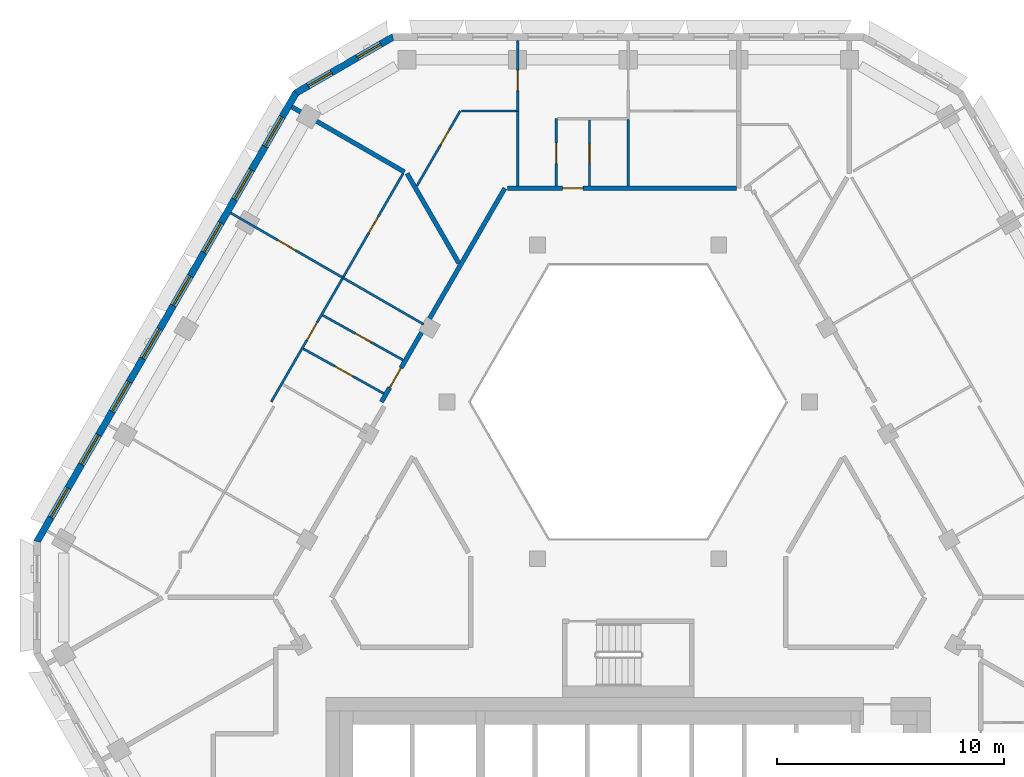
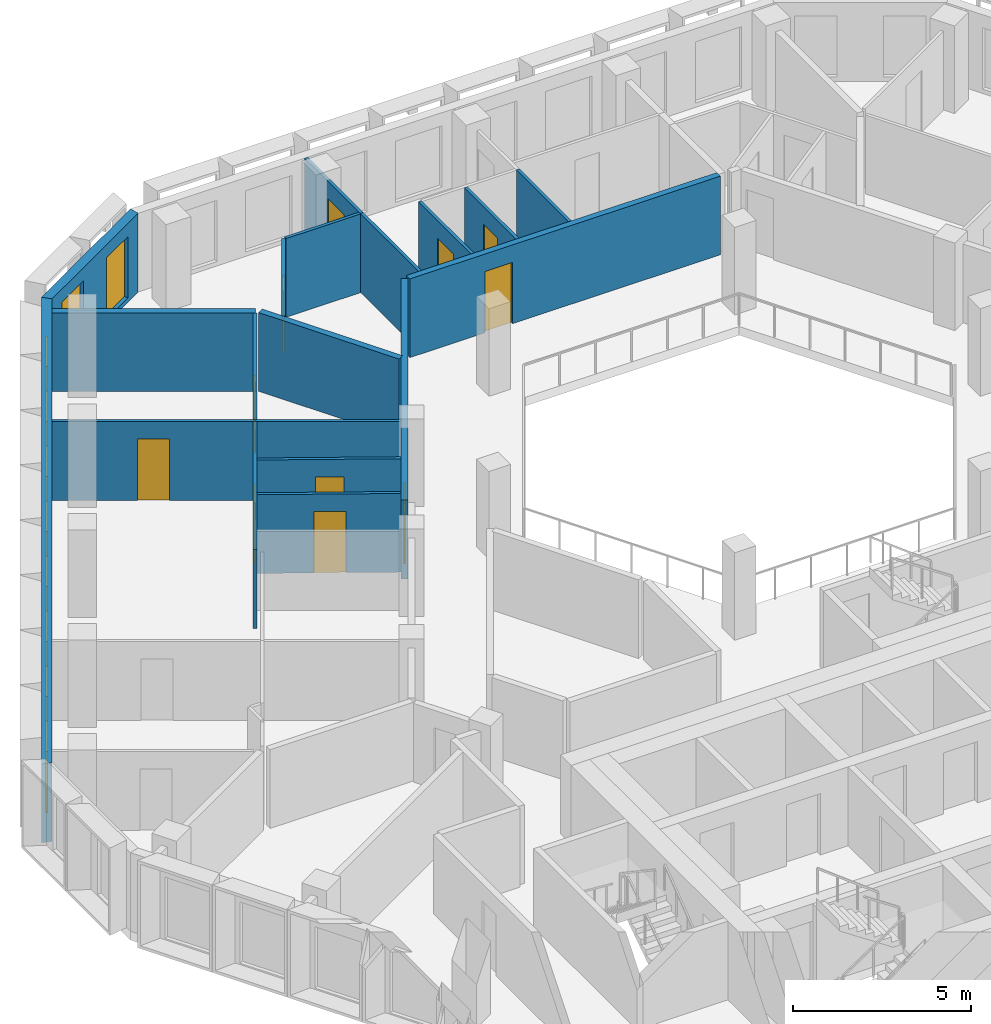
# One storey, part 7 of 17: 18 walls, 11 doors, 10 windows, 21 openings.
"""IFC4 building model written with IfcOpenShell, lengths in metres."""

from ifc_helpers import new_model, si_unit, direction, frame, frame_2d, origin, place, context, subcontext, project, spatial, polyline, rectangle, outline, extrude, material, layer, layer_set, type_object, element, fill, save


model = new_model("IFC4")

# Units and contexts
model_context = context("Model", 3, precision=1e-05, world=origin(), true_north=direction((0.0, 1.0)))
body_context = subcontext(model_context, "Body", "Model", "MODEL_VIEW")
ifc_project = project(units=[si_unit("LENGTHUNIT", "METRE"), si_unit("AREAUNIT", "SQUARE_METRE"), si_unit("VOLUMEUNIT", "CUBIC_METRE"), si_unit("PLANEANGLEUNIT", "RADIAN"), si_unit("MASSUNIT", "GRAM", prefix="KILO")], contexts=[model_context])

# Site, building, storey
site_placement = place(None, origin())
site = spatial("IfcSite", under=ifc_project, at=site_placement, CompositionType="ELEMENT")
building_placement = place(site_placement, origin())
building = spatial("IfcBuilding", under=site, at=building_placement, Name="Beryl Residences", CompositionType="ELEMENT")
storey_placement = place(building_placement, frame((0.0, 0.0, 172.199951171875)))
storey = spatial("IfcBuildingStorey", under=building, at=storey_placement, Name="L52", CompositionType="ELEMENT", Elevation=172.199951171875)

# Wall, openings, windows
ifc_material_1 = material(Name="Composite metal panel with mineral wool insulation")
ifc_layer_1 = layer(ifc_material_1, 0.300048828125)
ifc_layer_set_1 = layer_set([ifc_layer_1], Name="ES1 pale metal composite panel wall 300 mm")
wall_type_1 = type_object("IfcWallType", Name="ES1 pale metal composite panel wall 300 mm", PredefinedType="SOLIDWALL", material=ifc_layer_set_1)
wall_1_placement = place(storey_placement, frame((-10.31689453125, 24.070068359375, 0.0), z_axis=(0.0, 0.0, 1.0), x_axis=(-0.866022959057, -0.500004234368, 0.0)))
wall_1 = element("IfcWall", 1, at=wall_1_placement, inside=storey, type_object=wall_type_1, Name="ES1 external wall L52 N-NW", PredefinedType="SOLIDWALL", context=body_context, shape_type="SweptSolid", body=[
    extrude(outline(polyline([(0.0, -0.14990234375), (5.0, -0.14990234375), (4.919677734375, 0.14990234375), (0.080322265625, 0.14990234375), (0.0, -0.14990234375)])), origin(), (0.0, 0.0, 1.0), 2.699951171875),
])
opening_1_placement = place(wall_1_placement, frame((0.64990234375, 0.0, 0.14990234375)))
opening_1 = element("IfcOpeningElement", 2, at=opening_1_placement, cuts=wall_1, Name="Opening W2", PredefinedType="OPENING", context=body_context, shape_type="SweptSolid", body=[
    extrude(rectangle(XDim=1.199951171875, YDim=2.10009765625, at=frame_2d((0.60009765625, 1.050048828125))), frame((0.0, 0.159912109375, 0.0), z_axis=(0.0, -1.0, 0.0), x_axis=(1.0, 0.0, 0.0)), (0.0, 0.0, 1.0), 0.320068359375),
])
opening_2_placement = place(wall_1_placement, frame((3.14892578125, 0.0, 0.14990234375)))
opening_2 = element("IfcOpeningElement", 3, at=opening_2_placement, cuts=wall_1, Name="Opening W2", PredefinedType="OPENING", context=body_context, shape_type="SweptSolid", body=[
    extrude(rectangle(XDim=1.199951171875, YDim=2.10009765625, at=frame_2d((0.60009765625, 1.050048828125))), frame((0.0, 0.159912109375, 0.0), z_axis=(0.0, -1.0, 0.0), x_axis=(1.0, 0.0, 0.0)), (0.0, 0.0, 1.0), 0.320068359375),
])
ifc_material_2 = material(Name="Aluminium and clear glass", Category="aluminium")
window_type_1 = type_object("IfcWindowType", Name="W2 chamfer window 1200 x 2100 mm", PartitioningType="SINGLE_PANEL", PredefinedType="WINDOW", material=ifc_material_2)
window_1_placement = place(opening_1_placement, origin())
window_1 = element("IfcWindow", 4, at=window_1_placement, inside=storey, type_object=window_type_1, Name="W2 window L52 N-NW 1", OverallHeight=2.10009765625, OverallWidth=1.199951171875, PartitioningType="SINGLE_PANEL", PredefinedType="WINDOW", context=body_context, shape_type="SweptSolid", body=[
    extrude(rectangle(XDim=1.199951171875, YDim=2.10009765625, at=frame_2d((0.60009765625, 1.050048828125))), frame((0.0, 0.030029296875, 0.0), z_axis=(0.0, -1.0, 0.0), x_axis=(1.0, 0.0, 0.0)), (0.0, 0.0, 1.0), 0.06005859375),
])
fill(opening_1, window_1)
window_2_placement = place(opening_2_placement, origin())
window_2 = element("IfcWindow", 5, at=window_2_placement, inside=storey, type_object=window_type_1, Name="W2 window L52 N-NW 2", OverallHeight=2.10009765625, OverallWidth=1.199951171875, PartitioningType="SINGLE_PANEL", PredefinedType="WINDOW", context=body_context, shape_type="SweptSolid", body=[
    extrude(rectangle(XDim=1.199951171875, YDim=2.10009765625, at=frame_2d((0.60009765625, 1.050048828125))), frame((0.0, 0.030029296875, 0.0), z_axis=(0.0, -1.0, 0.0), x_axis=(1.0, 0.0, 0.0)), (0.0, 0.0, 1.0), 0.06005859375),
])
fill(opening_2, window_2)

wall_2_placement = place(storey_placement, frame((-14.592041015625, 21.625, 0.0), z_axis=(0.0, 0.0, 1.0), x_axis=(-0.500010537973, -0.866019319597, 0.0)))
wall_2 = element("IfcWall", 6, at=wall_2_placement, inside=storey, type_object=wall_type_1, Name="ES1 external wall L52 NW", PredefinedType="SOLIDWALL", context=body_context, shape_type="SweptSolid", body=[
    extrude(outline(polyline([(0.0, -0.14990234375), (22.86328125, -0.14990234375), (22.782958984375, 0.14990234375), (0.080322265625, 0.14990234375), (0.0, -0.14990234375)])), origin(), (0.0, 0.0, 1.0), 2.699951171875),
])
opening_3_placement = place(wall_2_placement, frame((1.259033203125, 0.0, 0.14990234375)))
opening_3 = element("IfcOpeningElement", 7, at=opening_3_placement, cuts=wall_2, Name="Opening W1", PredefinedType="OPENING", context=body_context, shape_type="SweptSolid", body=[
    extrude(rectangle(XDim=1.5, YDim=2.10009765625, at=frame_2d((0.75, 1.050048828125))), frame((0.0, 0.159912109375, 0.0), z_axis=(0.0, -1.0, 0.0), x_axis=(1.0, 0.0, 0.0)), (0.0, 0.0, 1.0), 0.320068359375),
])
opening_4_placement = place(wall_2_placement, frame((3.951904296875, 0.0, 0.14990234375)))
opening_4 = element("IfcOpeningElement", 8, at=opening_4_placement, cuts=wall_2, Name="Opening W1", PredefinedType="OPENING", context=body_context, shape_type="SweptSolid", body=[
    extrude(rectangle(XDim=1.5, YDim=2.10009765625, at=frame_2d((0.75, 1.050048828125))), frame((0.0, 0.159912109375, 0.0), z_axis=(0.0, -1.0, 0.0), x_axis=(1.0, 0.0, 0.0)), (0.0, 0.0, 1.0), 0.320068359375),
])
opening_5_placement = place(wall_2_placement, frame((6.64404296875, 0.0, 0.14990234375)))
opening_5 = element("IfcOpeningElement", 9, at=opening_5_placement, cuts=wall_2, Name="Opening W1", PredefinedType="OPENING", context=body_context, shape_type="SweptSolid", body=[
    extrude(rectangle(XDim=1.5, YDim=2.10009765625, at=frame_2d((0.75, 1.050048828125))), frame((0.0, 0.159912109375, 0.0), z_axis=(0.0, -1.0, 0.0), x_axis=(1.0, 0.0, 0.0)), (0.0, 0.0, 1.0), 0.320068359375),
])
opening_6_placement = place(wall_2_placement, frame((9.3349609375, 0.0, 0.14990234375)))
opening_6 = element("IfcOpeningElement", 10, at=opening_6_placement, cuts=wall_2, Name="Opening W1", PredefinedType="OPENING", context=body_context, shape_type="SweptSolid", body=[
    extrude(rectangle(XDim=1.5, YDim=2.10009765625, at=frame_2d((0.75, 1.050048828125))), frame((0.0, 0.159912109375, 0.0), z_axis=(0.0, -1.0, 0.0), x_axis=(1.0, 0.0, 0.0)), (0.0, 0.0, 1.0), 0.320068359375),
])
opening_7_placement = place(wall_2_placement, frame((12.028076171875, 0.0, 0.14990234375)))
opening_7 = element("IfcOpeningElement", 11, at=opening_7_placement, cuts=wall_2, Name="Opening W1", PredefinedType="OPENING", context=body_context, shape_type="SweptSolid", body=[
    extrude(rectangle(XDim=1.5, YDim=2.10009765625, at=frame_2d((0.75, 1.050048828125))), frame((0.0, 0.159912109375, 0.0), z_axis=(0.0, -1.0, 0.0), x_axis=(1.0, 0.0, 0.0)), (0.0, 0.0, 1.0), 0.320068359375),
])
opening_8_placement = place(wall_2_placement, frame((14.719970703125, 0.0, 0.14990234375)))
opening_8 = element("IfcOpeningElement", 12, at=opening_8_placement, cuts=wall_2, Name="Opening W1", PredefinedType="OPENING", context=body_context, shape_type="SweptSolid", body=[
    extrude(rectangle(XDim=1.5, YDim=2.10009765625, at=frame_2d((0.75, 1.050048828125))), frame((0.0, 0.159912109375, 0.0), z_axis=(0.0, -1.0, 0.0), x_axis=(1.0, 0.0, 0.0)), (0.0, 0.0, 1.0), 0.320068359375),
])
opening_9_placement = place(wall_2_placement, frame((17.410888671875, 0.0, 0.14990234375)))
opening_9 = element("IfcOpeningElement", 13, at=opening_9_placement, cuts=wall_2, Name="Opening W1", PredefinedType="OPENING", context=body_context, shape_type="SweptSolid", body=[
    extrude(rectangle(XDim=1.5, YDim=2.10009765625, at=frame_2d((0.75, 1.050048828125))), frame((0.0, 0.159912109375, 0.0), z_axis=(0.0, -1.0, 0.0), x_axis=(1.0, 0.0, 0.0)), (0.0, 0.0, 1.0), 0.320068359375),
])
opening_10_placement = place(wall_2_placement, frame((20.10400390625, 0.0, 0.14990234375)))
opening_10 = element("IfcOpeningElement", 14, at=opening_10_placement, cuts=wall_2, Name="Opening W1", PredefinedType="OPENING", context=body_context, shape_type="SweptSolid", body=[
    extrude(rectangle(XDim=1.5, YDim=2.10009765625, at=frame_2d((0.75, 1.050048828125))), frame((0.0, 0.159912109375, 0.0), z_axis=(0.0, -1.0, 0.0), x_axis=(1.0, 0.0, 0.0)), (0.0, 0.0, 1.0), 0.320068359375),
])
ifc_material_3 = material(Name="Aluminium and clear glass", Category="aluminium")
window_type_2 = type_object("IfcWindowType", Name="W1 cell window 1500 x 2100 mm", PartitioningType="SINGLE_PANEL", PredefinedType="WINDOW", material=ifc_material_3)
window_3_placement = place(opening_3_placement, origin())
window_3 = element("IfcWindow", 15, at=window_3_placement, inside=storey, type_object=window_type_2, Name="W1 window L52 NW 1", OverallHeight=2.10009765625, OverallWidth=1.5, PartitioningType="SINGLE_PANEL", PredefinedType="WINDOW", context=body_context, shape_type="SweptSolid", body=[
    extrude(rectangle(XDim=1.5, YDim=2.10009765625, at=frame_2d((0.75, 1.050048828125))), frame((0.0, 0.030029296875, 0.0), z_axis=(0.0, -1.0, 0.0), x_axis=(1.0, 0.0, 0.0)), (0.0, 0.0, 1.0), 0.06005859375),
])
fill(opening_3, window_3)
window_4_placement = place(opening_4_placement, origin())
window_4 = element("IfcWindow", 16, at=window_4_placement, inside=storey, type_object=window_type_2, Name="W1 window L52 NW 2", OverallHeight=2.10009765625, OverallWidth=1.5, PartitioningType="SINGLE_PANEL", PredefinedType="WINDOW", context=body_context, shape_type="SweptSolid", body=[
    extrude(rectangle(XDim=1.5, YDim=2.10009765625, at=frame_2d((0.75, 1.050048828125))), frame((0.0, 0.030029296875, 0.0), z_axis=(0.0, -1.0, 0.0), x_axis=(1.0, 0.0, 0.0)), (0.0, 0.0, 1.0), 0.06005859375),
])
fill(opening_4, window_4)
window_5_placement = place(opening_5_placement, origin())
window_5 = element("IfcWindow", 17, at=window_5_placement, inside=storey, type_object=window_type_2, Name="W1 window L52 NW 3", OverallHeight=2.10009765625, OverallWidth=1.5, PartitioningType="SINGLE_PANEL", PredefinedType="WINDOW", context=body_context, shape_type="SweptSolid", body=[
    extrude(rectangle(XDim=1.5, YDim=2.10009765625, at=frame_2d((0.75, 1.050048828125))), frame((0.0, 0.030029296875, 0.0), z_axis=(0.0, -1.0, 0.0), x_axis=(1.0, 0.0, 0.0)), (0.0, 0.0, 1.0), 0.06005859375),
])
fill(opening_5, window_5)
window_6_placement = place(opening_6_placement, origin())
window_6 = element("IfcWindow", 18, at=window_6_placement, inside=storey, type_object=window_type_2, Name="W1 window L52 NW 4", OverallHeight=2.10009765625, OverallWidth=1.5, PartitioningType="SINGLE_PANEL", PredefinedType="WINDOW", context=body_context, shape_type="SweptSolid", body=[
    extrude(rectangle(XDim=1.5, YDim=2.10009765625, at=frame_2d((0.75, 1.050048828125))), frame((0.0, 0.030029296875, 0.0), z_axis=(0.0, -1.0, 0.0), x_axis=(1.0, 0.0, 0.0)), (0.0, 0.0, 1.0), 0.06005859375),
])
fill(opening_6, window_6)
window_7_placement = place(opening_7_placement, origin())
window_7 = element("IfcWindow", 19, at=window_7_placement, inside=storey, type_object=window_type_2, Name="W1 window L52 NW 5", OverallHeight=2.10009765625, OverallWidth=1.5, PartitioningType="SINGLE_PANEL", PredefinedType="WINDOW", context=body_context, shape_type="SweptSolid", body=[
    extrude(rectangle(XDim=1.5, YDim=2.10009765625, at=frame_2d((0.75, 1.050048828125))), frame((0.0, 0.030029296875, 0.0), z_axis=(0.0, -1.0, 0.0), x_axis=(1.0, 0.0, 0.0)), (0.0, 0.0, 1.0), 0.06005859375),
])
fill(opening_7, window_7)
window_8_placement = place(opening_8_placement, origin())
window_8 = element("IfcWindow", 20, at=window_8_placement, inside=storey, type_object=window_type_2, Name="W1 window L52 NW 6", OverallHeight=2.10009765625, OverallWidth=1.5, PartitioningType="SINGLE_PANEL", PredefinedType="WINDOW", context=body_context, shape_type="SweptSolid", body=[
    extrude(rectangle(XDim=1.5, YDim=2.10009765625, at=frame_2d((0.75, 1.050048828125))), frame((0.0, 0.030029296875, 0.0), z_axis=(0.0, -1.0, 0.0), x_axis=(1.0, 0.0, 0.0)), (0.0, 0.0, 1.0), 0.06005859375),
])
fill(opening_8, window_8)
window_9_placement = place(opening_9_placement, origin())
window_9 = element("IfcWindow", 21, at=window_9_placement, inside=storey, type_object=window_type_2, Name="W1 window L52 NW 7", OverallHeight=2.10009765625, OverallWidth=1.5, PartitioningType="SINGLE_PANEL", PredefinedType="WINDOW", context=body_context, shape_type="SweptSolid", body=[
    extrude(rectangle(XDim=1.5, YDim=2.10009765625, at=frame_2d((0.75, 1.050048828125))), frame((0.0, 0.030029296875, 0.0), z_axis=(0.0, -1.0, 0.0), x_axis=(1.0, 0.0, 0.0)), (0.0, 0.0, 1.0), 0.06005859375),
])
fill(opening_9, window_9)
window_10_placement = place(opening_10_placement, origin())
window_10 = element("IfcWindow", 22, at=window_10_placement, inside=storey, type_object=window_type_2, Name="W1 window L52 NW 8", OverallHeight=2.10009765625, OverallWidth=1.5, PartitioningType="SINGLE_PANEL", PredefinedType="WINDOW", context=body_context, shape_type="SweptSolid", body=[
    extrude(rectangle(XDim=1.5, YDim=2.10009765625, at=frame_2d((0.75, 1.050048828125))), frame((0.0, 0.030029296875, 0.0), z_axis=(0.0, -1.0, 0.0), x_axis=(1.0, 0.0, 0.0)), (0.0, 0.0, 1.0), 0.06005859375),
])
fill(opening_10, window_10)

# Walls
ifc_material_4 = material(Name="Gypsum board partition on steel studs", Category="steel")
ifc_layer_2 = layer(ifc_material_4, 0.10009765625)
ifc_layer_set_2 = layer_set([ifc_layer_2], Name="PT1 partition 100 mm gypsum board on steel studs")
wall_type_2 = type_object("IfcWallType", Name="PT1 partition 100 mm gypsum board on steel studs", PredefinedType="PARTITIONING", material=ifc_layer_set_2)
wall_3_placement = place(storey_placement, frame((-4.864013671875, 20.76904296875, 0.0), z_axis=(0.0, 0.0, 1.0), x_axis=(0.0, -1.0, 0.0)))
element("IfcWall", 23, at=wall_3_placement, inside=storey, type_object=wall_type_2, Name="Wall PT1 L52 005", PredefinedType="PARTITIONING", context=body_context, shape_type="SweptSolid", body=[
    extrude(rectangle(XDim=3.26904296875, YDim=0.10009765625, at=frame_2d((1.634521484375, 0.0))), origin(), (0.0, 0.0, 1.0), 2.699951171875),
])
wall_4_placement = place(storey_placement, frame((0.0, 20.429931640625, 0.0), z_axis=(0.0, 0.0, 1.0), x_axis=(0.0, -1.0, 0.0)))
element("IfcWall", 24, at=wall_4_placement, inside=storey, type_object=wall_type_2, Name="Wall PT1 L52 006", PredefinedType="PARTITIONING", context=body_context, shape_type="SweptSolid", body=[
    extrude(rectangle(XDim=2.929931640625, YDim=0.10009765625, at=frame_2d((1.46484375, 0.0))), origin(), (0.0, 0.0, 1.0), 2.699951171875),
])

# Wall, opening, door
wall_5_placement = place(storey_placement, frame((-13.444091796875, 11.81396484375, 0.0), z_axis=(0.0, 0.0, 1.0), x_axis=(0.873653620945, -0.486548405207, 0.0)))
wall_5 = element("IfcWall", 25, at=wall_5_placement, inside=storey, type_object=wall_type_2, Name="Wall PT1 L52 007", PredefinedType="PARTITIONING", context=body_context, shape_type="SweptSolid", body=[
    extrude(rectangle(XDim=4.05078125, YDim=0.10009765625, at=frame_2d((2.025390625, 0.0))), origin(), (0.0, 0.0, 1.0), 2.699951171875),
])
opening_11_placement = place(wall_5_placement, frame((1.64990234375, 0.0, 0.0)))
opening_11 = element("IfcOpeningElement", 26, at=opening_11_placement, cuts=wall_5, Name="Opening D1409", PredefinedType="OPENING", context=body_context, shape_type="SweptSolid", body=[
    extrude(rectangle(XDim=0.800048828125, YDim=2.10009765625, at=frame_2d((0.39990234375, 1.050048828125))), frame((0.0, 0.06005859375, 0.0), z_axis=(0.0, -1.0, 0.0), x_axis=(1.0, 0.0, 0.0)), (0.0, 0.0, 1.0), 0.1201171875),
])
ifc_material_5 = material(Name="Timber door leaf", Category="wood")
door_type_1 = type_object("IfcDoorType", Name="D3 bathroom door 800 x 2100 mm", OperationType="SINGLE_SWING_LEFT", PredefinedType="DOOR", material=ifc_material_5)
door_1_placement = place(opening_11_placement, origin())
door_1 = element("IfcDoor", 27, at=door_1_placement, inside=storey, type_object=door_type_1, Name="Door D1409 L52 001", OperationType="SINGLE_SWING_LEFT", OverallHeight=2.10009765625, OverallWidth=0.800048828125, PredefinedType="DOOR", context=body_context, shape_type="SweptSolid", body=[
    extrude(rectangle(XDim=0.800048828125, YDim=2.10009765625, at=frame_2d((0.39990234375, 1.050048828125))), frame((0.0, 0.02490234375, 0.0), z_axis=(0.0, -1.0, 0.0), x_axis=(1.0, 0.0, 0.0)), (0.0, 0.0, 1.0), 0.050048828125),
])
fill(opening_11, door_1)

wall_6_placement = place(storey_placement, frame((-14.2939453125, 10.342041015625, 0.0), z_axis=(0.0, 0.0, 1.0), x_axis=(0.873582256032, -0.486676527013, 0.0)))
wall_6 = element("IfcWall", 28, at=wall_6_placement, inside=storey, type_object=wall_type_2, Name="Wall PT1 L52 008", PredefinedType="PARTITIONING", context=body_context, shape_type="SweptSolid", body=[
    extrude(rectangle(XDim=4.0498046875, YDim=0.10009765625, at=frame_2d((2.02490234375, 0.0))), origin(), (0.0, 0.0, 1.0), 2.699951171875),
])
opening_12_placement = place(wall_6_placement, frame((1.60009765625, 0.0, 0.0)))
opening_12 = element("IfcOpeningElement", 29, at=opening_12_placement, cuts=wall_6, Name="Opening D1410", PredefinedType="OPENING", context=body_context, shape_type="SweptSolid", body=[
    extrude(rectangle(XDim=0.89990234375, YDim=2.10009765625, at=frame_2d((0.449951171875, 1.050048828125))), frame((0.0, 0.06005859375, 0.0), z_axis=(0.0, -1.0, 0.0), x_axis=(1.0, 0.0, 0.0)), (0.0, 0.0, 1.0), 0.1201171875),
])
ifc_material_6 = material(Name="Timber door leaf", Category="wood")
door_type_2 = type_object("IfcDoorType", Name="D2 room door 900 x 2100 mm", OperationType="SINGLE_SWING_LEFT", PredefinedType="DOOR", material=ifc_material_6)
door_2_placement = place(opening_12_placement, origin())
door_2 = element("IfcDoor", 30, at=door_2_placement, inside=storey, type_object=door_type_2, Name="Door D1410 L52 001", OperationType="SINGLE_SWING_RIGHT", OverallHeight=2.10009765625, OverallWidth=0.89990234375, PredefinedType="DOOR", context=body_context, shape_type="SweptSolid", body=[
    extrude(rectangle(XDim=0.89990234375, YDim=2.10009765625, at=frame_2d((0.449951171875, 1.050048828125))), frame((0.0, 0.02490234375, 0.0), z_axis=(0.0, -1.0, 0.0), x_axis=(1.0, 0.0, 0.0)), (0.0, 0.0, 1.0), 0.050048828125),
])
fill(opening_12, door_2)

wall_7_placement = place(storey_placement, frame((-17.486083984375, 16.31298828125, 0.0), z_axis=(0.0, 0.0, 1.0), x_axis=(0.866004402611, -0.500036373335, 0.0)))
wall_7 = element("IfcWall", 31, at=wall_7_placement, inside=storey, type_object=wall_type_2, Name="Wall PT1 L52 012", PredefinedType="PARTITIONING", context=body_context, shape_type="SweptSolid", body=[
    extrude(rectangle(XDim=5.69970703125, YDim=0.10009765625, at=frame_2d((2.849853515625, 0.0))), origin(), (0.0, 0.0, 1.0), 2.699951171875),
])
opening_13_placement = place(wall_7_placement, frame((2.39990234375, 0.0, 0.0)))
opening_13 = element("IfcOpeningElement", 32, at=opening_13_placement, cuts=wall_7, Name="Opening D1413", PredefinedType="OPENING", context=body_context, shape_type="SweptSolid", body=[
    extrude(rectangle(XDim=0.89990234375, YDim=2.10009765625, at=frame_2d((0.449951171875, 1.050048828125))), frame((0.0, 0.06005859375, 0.0), z_axis=(0.0, -1.0, 0.0), x_axis=(1.0, 0.0, 0.0)), (0.0, 0.0, 1.0), 0.1201171875),
])
door_3_placement = place(opening_13_placement, origin())
door_3 = element("IfcDoor", 33, at=door_3_placement, inside=storey, type_object=door_type_2, Name="Door D1413 L52 001", OperationType="SINGLE_SWING_LEFT", OverallHeight=2.10009765625, OverallWidth=0.89990234375, PredefinedType="DOOR", context=body_context, shape_type="SweptSolid", body=[
    extrude(rectangle(XDim=0.89990234375, YDim=2.10009765625, at=frame_2d((0.449951171875, 1.050048828125))), frame((0.0, 0.02490234375, 0.0), z_axis=(0.0, -1.0, 0.0), x_axis=(1.0, 0.0, 0.0)), (0.0, 0.0, 1.0), 0.050048828125),
])
fill(opening_13, door_3)

# Wall
wall_8_placement = place(storey_placement, frame((-7.3310546875, 20.799072265625, 0.0), z_axis=(0.0, 0.0, 1.0), x_axis=(1.0, 0.0, 0.0)))
element("IfcWall", 34, at=wall_8_placement, inside=storey, type_object=wall_type_2, Name="Wall PT1 L52 019", PredefinedType="PARTITIONING", context=body_context, shape_type="SweptSolid", body=[
    extrude(rectangle(XDim=2.4169921875, YDim=0.10009765625, at=frame_2d((1.20849609375, 0.0))), origin(), (0.0, 0.0, 1.0), 2.699951171875),
])

# Wall, opening, door
wall_9_placement = place(storey_placement, frame((-9.294921875, 17.5, 0.0), z_axis=(0.0, 0.0, 1.0), x_axis=(0.500060839138, 0.865990275442, 0.0)))
wall_9 = element("IfcWall", 35, at=wall_9_placement, inside=storey, type_object=wall_type_2, Name="Wall PT1 L52 021", PredefinedType="PARTITIONING", context=body_context, shape_type="SweptSolid", body=[
    extrude(rectangle(XDim=3.8095703125, YDim=0.10009765625, at=frame_2d((1.90478515625, 0.0))), origin(), (0.0, 0.0, 1.0), 2.699951171875),
])
opening_14_placement = place(wall_9_placement, frame((2.0791015625, 0.0, 0.0)))
opening_14 = element("IfcOpeningElement", 36, at=opening_14_placement, cuts=wall_9, Name="Opening D1407", PredefinedType="OPENING", context=body_context, shape_type="SweptSolid", body=[
    extrude(rectangle(XDim=0.800048828125, YDim=2.10009765625, at=frame_2d((0.39990234375, 1.050048828125))), frame((0.0, 0.06005859375, 0.0), z_axis=(0.0, -1.0, 0.0), x_axis=(1.0, 0.0, 0.0)), (0.0, 0.0, 1.0), 0.1201171875),
])
door_4_placement = place(opening_14_placement, origin())
door_4 = element("IfcDoor", 37, at=door_4_placement, inside=storey, type_object=door_type_1, Name="Door D1407 L52 001", OperationType="SINGLE_SWING_LEFT", OverallHeight=2.10009765625, OverallWidth=0.800048828125, PredefinedType="DOOR", context=body_context, shape_type="SweptSolid", body=[
    extrude(rectangle(XDim=0.800048828125, YDim=2.10009765625, at=frame_2d((0.39990234375, 1.050048828125))), frame((0.0, 0.02490234375, 0.0), z_axis=(0.0, -1.0, 0.0), x_axis=(1.0, 0.0, 0.0)), (0.0, 0.0, 1.0), 0.050048828125),
])
fill(opening_14, door_4)

# Wall, openings, doors
wall_10_placement = place(storey_placement, frame((-15.7041015625, 8.0, 0.0), z_axis=(0.0, 0.0, 1.0), x_axis=(0.500005637941, 0.866022148693, 0.0)))
wall_10 = element("IfcWall", 38, at=wall_10_placement, inside=storey, type_object=wall_type_2, Name="Wall PT1 L52 024", PredefinedType="PARTITIONING", context=body_context, shape_type="SweptSolid", body=[
    extrude(rectangle(XDim=11.592041015625, YDim=0.10009765625, at=frame_2d((5.7958984375, 0.0))), origin(), (0.0, 0.0, 1.0), 2.699951171875),
])
opening_15_placement = place(wall_10_placement, frame((3.132080078125, 0.0, 0.0)))
opening_15 = element("IfcOpeningElement", 39, at=opening_15_placement, cuts=wall_10, Name="Opening D1411", PredefinedType="OPENING", context=body_context, shape_type="SweptSolid", body=[
    extrude(rectangle(XDim=0.89990234375, YDim=2.10009765625, at=frame_2d((0.449951171875, 1.050048828125))), frame((0.0, 0.06005859375, 0.0), z_axis=(0.0, -1.0, 0.0), x_axis=(1.0, 0.0, 0.0)), (0.0, 0.0, 1.0), 0.1201171875),
])
opening_16_placement = place(wall_10_placement, frame((8.60009765625, 0.0, 0.0)))
opening_16 = element("IfcOpeningElement", 40, at=opening_16_placement, cuts=wall_10, Name="Opening D1416", PredefinedType="OPENING", context=body_context, shape_type="SweptSolid", body=[
    extrude(rectangle(XDim=0.800048828125, YDim=2.10009765625, at=frame_2d((0.39990234375, 1.050048828125))), frame((0.0, 0.06005859375, 0.0), z_axis=(0.0, -1.0, 0.0), x_axis=(1.0, 0.0, 0.0)), (0.0, 0.0, 1.0), 0.1201171875),
])
door_5_placement = place(opening_15_placement, origin())
door_5 = element("IfcDoor", 41, at=door_5_placement, inside=storey, type_object=door_type_2, Name="Door D1411 L52 001", OperationType="SINGLE_SWING_LEFT", OverallHeight=2.10009765625, OverallWidth=0.89990234375, PredefinedType="DOOR", context=body_context, shape_type="SweptSolid", body=[
    extrude(rectangle(XDim=0.89990234375, YDim=2.10009765625, at=frame_2d((0.449951171875, 1.050048828125))), frame((0.0, 0.02490234375, 0.0), z_axis=(0.0, -1.0, 0.0), x_axis=(1.0, 0.0, 0.0)), (0.0, 0.0, 1.0), 0.050048828125),
])
fill(opening_15, door_5)
door_6_placement = place(opening_16_placement, origin())
door_6 = element("IfcDoor", 42, at=door_6_placement, inside=storey, type_object=door_type_1, Name="Door D1416 L52 001", OperationType="SINGLE_SWING_RIGHT", OverallHeight=2.10009765625, OverallWidth=0.800048828125, PredefinedType="DOOR", context=body_context, shape_type="SweptSolid", body=[
    extrude(rectangle(XDim=0.800048828125, YDim=2.10009765625, at=frame_2d((0.39990234375, 1.050048828125))), frame((0.0, 0.02490234375, 0.0), z_axis=(0.0, -1.0, 0.0), x_axis=(1.0, 0.0, 0.0)), (0.0, 0.0, 1.0), 0.050048828125),
])
fill(opening_16, door_6)

# Wall, opening, door
wall_11_placement = place(storey_placement, frame((-3.162109375, 17.5, 0.0), z_axis=(0.0, 0.0, 1.0), x_axis=(0.0, 1.0, 0.0)))
wall_11 = element("IfcWall", 43, at=wall_11_placement, inside=storey, type_object=wall_type_2, Name="Wall PT1 L52 028", PredefinedType="PARTITIONING", context=body_context, shape_type="SweptSolid", body=[
    extrude(rectangle(XDim=2.958984375, YDim=0.10009765625, at=frame_2d((1.4794921875, 0.0))), origin(), (0.0, 0.0, 1.0), 2.699951171875),
])
opening_17_placement = place(wall_11_placement, frame((0.97998046875, 0.0, 0.0)))
opening_17 = element("IfcOpeningElement", 44, at=opening_17_placement, cuts=wall_11, Name="Opening D1402", PredefinedType="OPENING", context=body_context, shape_type="SweptSolid", body=[
    extrude(rectangle(XDim=0.89990234375, YDim=2.10009765625, at=frame_2d((0.449951171875, 1.050048828125))), frame((0.0, 0.06005859375, 0.0), z_axis=(0.0, -1.0, 0.0), x_axis=(1.0, 0.0, 0.0)), (0.0, 0.0, 1.0), 0.1201171875),
])
door_7_placement = place(opening_17_placement, origin())
door_7 = element("IfcDoor", 45, at=door_7_placement, inside=storey, type_object=door_type_2, Name="Door D1402 L52 001", OperationType="SINGLE_SWING_RIGHT", OverallHeight=2.10009765625, OverallWidth=0.89990234375, PredefinedType="DOOR", context=body_context, shape_type="SweptSolid", body=[
    extrude(rectangle(XDim=0.89990234375, YDim=2.10009765625, at=frame_2d((0.449951171875, 1.050048828125))), frame((0.0, 0.02490234375, 0.0), z_axis=(0.0, -1.0, 0.0), x_axis=(1.0, 0.0, 0.0)), (0.0, 0.0, 1.0), 0.050048828125),
])
fill(opening_17, door_7)

wall_12_placement = place(storey_placement, frame((-4.864013671875, 20.779052734375, 0.0), z_axis=(0.0, 0.0, 1.0), x_axis=(0.0, 1.0, 0.0)))
wall_12 = element("IfcWall", 46, at=wall_12_placement, inside=storey, type_object=wall_type_2, Name="Wall PT1 L52 029", PredefinedType="PARTITIONING", context=body_context, shape_type="SweptSolid", body=[
    extrude(rectangle(XDim=3.120849609375, YDim=0.10009765625, at=frame_2d((1.560546875, 0.0))), origin(), (0.0, 0.0, 1.0), 2.699951171875),
])
opening_18_placement = place(wall_12_placement, frame((0.909912109375, 0.0, 0.0)))
opening_18 = element("IfcOpeningElement", 47, at=opening_18_placement, cuts=wall_12, Name="Opening D1404", PredefinedType="OPENING", context=body_context, shape_type="SweptSolid", body=[
    extrude(rectangle(XDim=0.89990234375, YDim=2.10009765625, at=frame_2d((0.449951171875, 1.050048828125))), frame((0.0, 0.06005859375, 0.0), z_axis=(0.0, -1.0, 0.0), x_axis=(1.0, 0.0, 0.0)), (0.0, 0.0, 1.0), 0.1201171875),
])
door_8_placement = place(opening_18_placement, origin())
door_8 = element("IfcDoor", 48, at=door_8_placement, inside=storey, type_object=door_type_2, Name="Door D1404 L52 001", OperationType="SINGLE_SWING_RIGHT", OverallHeight=2.10009765625, OverallWidth=0.89990234375, PredefinedType="DOOR", context=body_context, shape_type="SweptSolid", body=[
    extrude(rectangle(XDim=0.89990234375, YDim=2.10009765625, at=frame_2d((0.449951171875, 1.050048828125))), frame((0.0, 0.02490234375, 0.0), z_axis=(0.0, -1.0, 0.0), x_axis=(1.0, 0.0, 0.0)), (0.0, 0.0, 1.0), 0.050048828125),
])
fill(opening_18, door_8)

wall_13_placement = place(storey_placement, frame((-1.701904296875, 17.5, 0.0), z_axis=(0.0, 0.0, 1.0), x_axis=(0.0, 1.0, 0.0)))
wall_13 = element("IfcWall", 49, at=wall_13_placement, inside=storey, type_object=wall_type_2, Name="Wall PT1 L52 030", PredefinedType="PARTITIONING", context=body_context, shape_type="SweptSolid", body=[
    extrude(rectangle(XDim=2.909912109375, YDim=0.10009765625, at=frame_2d((1.455078125, 0.0))), origin(), (0.0, 0.0, 1.0), 2.699951171875),
])
opening_19_placement = place(wall_13_placement, frame((1.030029296875, 0.0, 0.0)))
opening_19 = element("IfcOpeningElement", 50, at=opening_19_placement, cuts=wall_13, Name="Opening D1403", PredefinedType="OPENING", context=body_context, shape_type="SweptSolid", body=[
    extrude(rectangle(XDim=0.800048828125, YDim=2.10009765625, at=frame_2d((0.39990234375, 1.050048828125))), frame((0.0, 0.06005859375, 0.0), z_axis=(0.0, -1.0, 0.0), x_axis=(1.0, 0.0, 0.0)), (0.0, 0.0, 1.0), 0.1201171875),
])
door_9_placement = place(opening_19_placement, origin())
door_9 = element("IfcDoor", 51, at=door_9_placement, inside=storey, type_object=door_type_1, Name="Door D1403 L52 001", OperationType="SINGLE_SWING_LEFT", OverallHeight=2.10009765625, OverallWidth=0.800048828125, PredefinedType="DOOR", context=body_context, shape_type="SweptSolid", body=[
    extrude(rectangle(XDim=0.800048828125, YDim=2.10009765625, at=frame_2d((0.39990234375, 1.050048828125))), frame((0.0, 0.02490234375, 0.0), z_axis=(0.0, -1.0, 0.0), x_axis=(1.0, 0.0, 0.0)), (0.0, 0.0, 1.0), 0.050048828125),
])
fill(opening_19, door_9)

# Walls
wall_14_placement = place(storey_placement, frame((-12.550048828125, 13.462890625, 0.0), z_axis=(0.0, 0.0, 1.0), x_axis=(0.86606561423, -0.499930346997, 0.0)))
element("IfcWall", 52, at=wall_14_placement, inside=storey, type_object=wall_type_2, Name="Wall PT1 L52 041", PredefinedType="PARTITIONING", context=body_context, shape_type="SweptSolid", body=[
    extrude(rectangle(XDim=4.10009765625, YDim=0.10009765625, at=frame_2d((2.050048828125, 0.0))), origin(), (0.0, 0.0, 1.0), 2.699951171875),
])
ifc_material_7 = material(Name="Acoustic double stud gypsum board wall")
ifc_layer_3 = layer(ifc_material_7, 0.199951171875)
ifc_layer_set_3 = layer_set([ifc_layer_3], Name="PT3 party wall 200 mm acoustic double stud")
wall_type_3 = type_object("IfcWallType", Name="PT3 party wall 200 mm acoustic double stud", PredefinedType="PARTITIONING", material=ifc_layer_set_3)
wall_15_placement = place(storey_placement, frame((-9.72802734375, 18.050048828125, 0.0), z_axis=(0.0, 0.0, 1.0), x_axis=(0.499921709333, -0.866070600204, 0.0)))
element("IfcWall", 53, at=wall_15_placement, inside=storey, type_object=wall_type_3, Name="Wall PT3 L52 001", PredefinedType="PARTITIONING", context=body_context, shape_type="SweptSolid", body=[
    extrude(rectangle(XDim=4.560791015625, YDim=0.199951171875, at=frame_2d((2.2802734375, 0.0))), origin(), (0.0, 0.0, 1.0), 2.699951171875),
])
wall_16_placement = place(storey_placement, frame((-14.7939453125, 20.97509765625, 0.0), z_axis=(0.0, 0.0, 1.0), x_axis=(0.865982978614, -0.500073475352, 0.0)))
element("IfcWall", 54, at=wall_16_placement, inside=storey, type_object=wall_type_3, Name="Wall PT3 L52 006", PredefinedType="PARTITIONING", context=body_context, shape_type="SweptSolid", body=[
    extrude(rectangle(XDim=5.719482421875, YDim=0.199951171875, at=frame_2d((2.85986328125, 0.0))), origin(), (0.0, 0.0, 1.0), 2.699951171875),
])

# Wall, opening, door
ifc_material_8 = material(Name="Double stud gypsum board wall")
ifc_layer_4 = layer(ifc_material_8, 0.199951171875)
ifc_layer_set_4 = layer_set([ifc_layer_4], Name="PT4 corridor wall 200 mm double stud")
wall_type_4 = type_object("IfcWallType", Name="PT4 corridor wall 200 mm double stud", PredefinedType="PARTITIONING", material=ifc_layer_set_4)
wall_17_placement = place(storey_placement, frame((-5.31103515625, 17.39990234375, 0.0), z_axis=(0.0, 0.0, 1.0), x_axis=(1.0, 0.0, 0.0)))
wall_17 = element("IfcWall", 55, at=wall_17_placement, inside=storey, type_object=wall_type_4, Name="Wall PT4 L52 014", PredefinedType="PARTITIONING", context=body_context, shape_type="SweptSolid", body=[
    extrude(rectangle(XDim=10.074951171875, YDim=0.199951171875, at=frame_2d((5.03759765625, 0.0))), origin(), (0.0, 0.0, 1.0), 2.699951171875),
])
opening_20_placement = place(wall_17_placement, frame((2.428955078125, 0.0, 0.0)))
opening_20 = element("IfcOpeningElement", 56, at=opening_20_placement, cuts=wall_17, Name="Opening D1401", PredefinedType="OPENING", context=body_context, shape_type="SweptSolid", body=[
    extrude(rectangle(XDim=0.89990234375, YDim=2.10009765625, at=frame_2d((0.449951171875, 1.050048828125))), frame((0.0, 0.10986328125, 0.0), z_axis=(0.0, -1.0, 0.0), x_axis=(1.0, 0.0, 0.0)), (0.0, 0.0, 1.0), 0.219970703125),
])
ifc_material_9 = material(Name="Timber door leaf", Category="wood")
door_type_3 = type_object("IfcDoorType", Name="D11 flat entrance door 900 x 2100 mm", OperationType="SINGLE_SWING_LEFT", PredefinedType="DOOR", material=ifc_material_9)
door_10_placement = place(opening_20_placement, origin())
door_10 = element("IfcDoor", 57, at=door_10_placement, inside=storey, type_object=door_type_3, Name="Door D1401 L52 001", OperationType="SINGLE_SWING_LEFT", OverallHeight=2.10009765625, OverallWidth=0.89990234375, PredefinedType="DOOR", context=body_context, shape_type="SweptSolid", body=[
    extrude(rectangle(XDim=0.89990234375, YDim=2.10009765625, at=frame_2d((0.449951171875, 1.050048828125))), frame((0.0, 0.02490234375, 0.0), z_axis=(0.0, -1.0, 0.0), x_axis=(1.0, 0.0, 0.0)), (0.0, 0.0, 1.0), 0.050048828125),
])
fill(opening_20, door_10)

wall_18_placement = place(storey_placement, frame((-10.85400390625, 8.0, 0.0), z_axis=(0.0, 0.0, 1.0), x_axis=(0.499997637144, 0.866026767976, 0.0)))
wall_18 = element("IfcWall", 58, at=wall_18_placement, inside=storey, type_object=wall_type_4, Name="Wall PT4 L52 021", PredefinedType="PARTITIONING", context=body_context, shape_type="SweptSolid", body=[
    extrude(rectangle(XDim=10.85400390625, YDim=0.199951171875, at=frame_2d((5.427001953125, 0.0))), origin(), (0.0, 0.0, 1.0), 2.699951171875),
])
opening_21_placement = place(wall_18_placement, frame((0.720947265625, 0.0, 0.0)))
opening_21 = element("IfcOpeningElement", 59, at=opening_21_placement, cuts=wall_18, Name="Opening D1408", PredefinedType="OPENING", context=body_context, shape_type="SweptSolid", body=[
    extrude(rectangle(XDim=1.0, YDim=2.10009765625, at=frame_2d((0.5, 1.050048828125))), frame((0.0, 0.10986328125, 0.0), z_axis=(0.0, -1.0, 0.0), x_axis=(1.0, 0.0, 0.0)), (0.0, 0.0, 1.0), 0.219970703125),
])
ifc_material_10 = material(Name="Timber door leaf", Category="wood")
door_type_4 = type_object("IfcDoorType", Name="D1 flat entrance door 1000 x 2100 mm", OperationType="SINGLE_SWING_LEFT", PredefinedType="DOOR", material=ifc_material_10)
door_11_placement = place(opening_21_placement, origin())
door_11 = element("IfcDoor", 60, at=door_11_placement, inside=storey, type_object=door_type_4, Name="Door D1408 L52 001", OperationType="SINGLE_SWING_RIGHT", OverallHeight=2.10009765625, OverallWidth=1.0, PredefinedType="DOOR", context=body_context, shape_type="SweptSolid", body=[
    extrude(rectangle(XDim=1.0, YDim=2.10009765625, at=frame_2d((0.5, 1.050048828125))), frame((0.0, 0.02490234375, 0.0), z_axis=(0.0, -1.0, 0.0), x_axis=(1.0, 0.0, 0.0)), (0.0, 0.0, 1.0), 0.050048828125),
])
fill(opening_21, door_11)

save(model, "model.ifc")
